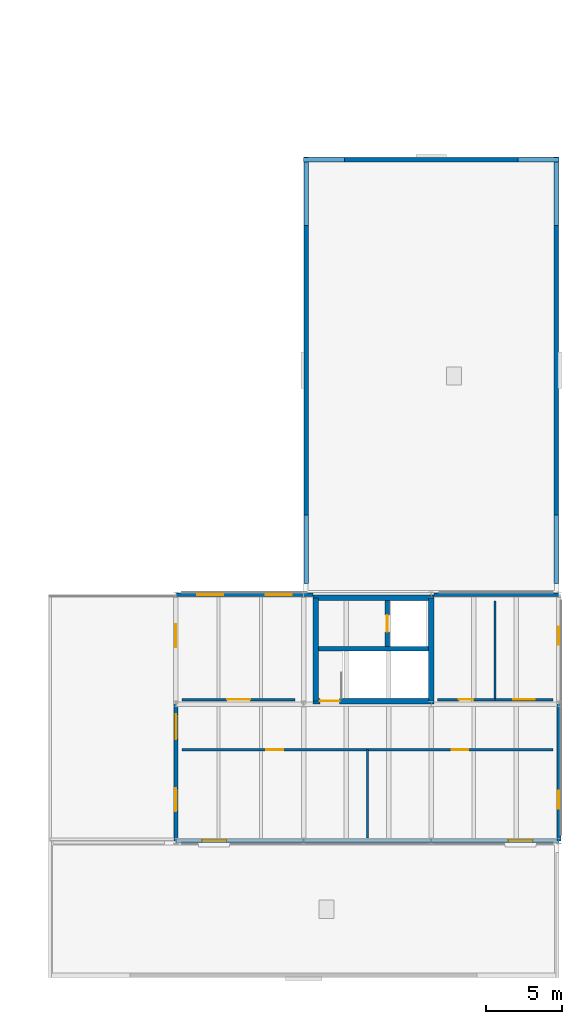
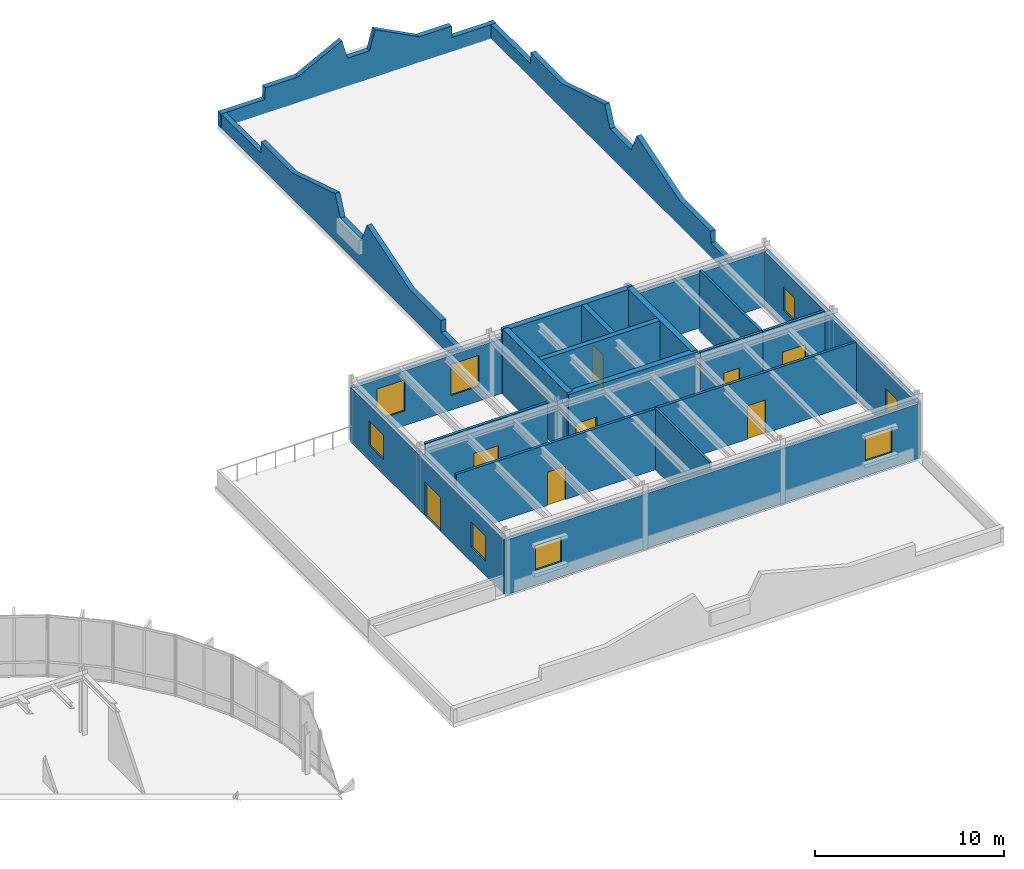
# One storey, part 24 of 31: 21 walls, 8 doors, 8 windows, 16 openings.
"""IFC4 building model written with IfcOpenShell, lengths in metres."""

from ifc_helpers import new_model, si_unit, direction, frame, frame_2d, origin, place, context, subcontext, project, spatial, polyline, rectangle, outline, extrude, material, layer, layer_set, type_object, element, fill, save


model = new_model("IFC4")

# Units and contexts
model_context = context("Model", 3, precision=1e-05, world=origin(), true_north=direction((0.0, 1.0)))
body_context = subcontext(model_context, "Body", "Model", "MODEL_VIEW")
ifc_project = project(units=[si_unit("LENGTHUNIT", "METRE"), si_unit("AREAUNIT", "SQUARE_METRE"), si_unit("VOLUMEUNIT", "CUBIC_METRE"), si_unit("PLANEANGLEUNIT", "RADIAN"), si_unit("MASSUNIT", "GRAM", prefix="KILO")], contexts=[model_context])

# Site, building, storey
site_placement = place(None, origin())
site = spatial("IfcSite", under=ifc_project, at=site_placement, CompositionType="ELEMENT")
building_placement = place(site_placement, origin())
building = spatial("IfcBuilding", under=site, at=building_placement, Name="Montealbar Specialist Clinic", CompositionType="ELEMENT")
storey_placement = place(building_placement, frame((0.0, 0.0, 13.800048828125)))
storey = spatial("IfcBuildingStorey", under=building, at=storey_placement, Name="L03", CompositionType="ELEMENT", Elevation=13.800048828125)

# Wall
ifc_material_1 = material(Name="Concrete C35/45", Category="concrete")
ifc_layer_1 = layer(ifc_material_1, 0.300048828125, Name="Concrete C35/45", Category="concrete")
ifc_layer_set_1 = layer_set([ifc_layer_1], Name="Concrete C35/45")
wall_type_1 = type_object("IfcWallType", Name="WL-CORE-300", PredefinedType="SHEAR", material=ifc_layer_set_1)
wall_1_placement = place(storey_placement, frame((146.175048828125, 48.64990234375, 0.0), z_axis=(0.0, 0.0, 1.0), x_axis=(1.0, 0.0, 0.0)))
element("IfcWall", 1, at=wall_1_placement, inside=storey, type_object=wall_type_1, Name="Core C6 Stairwell Wall L03", PredefinedType="SHEAR", context=body_context, shape_type="SweptSolid", body=[
    extrude(rectangle(XDim=7.25, YDim=0.300048828125, at=frame_2d((3.625, 0.0))), origin(), (0.0, 0.0, 1.0), 4.199951171875),
])

# Wall, opening, door
wall_2_placement = place(storey_placement, frame((150.699951171875, 48.800048828125, 0.0), z_axis=(0.0, 0.0, 1.0), x_axis=(0.0, 1.0, 0.0)))
wall_2 = element("IfcWall", 2, at=wall_2_placement, inside=storey, type_object=wall_type_1, Name="Lift LF-04 Shaft Wall L03 LW", PredefinedType="SHEAR", context=body_context, shape_type="SweptSolid", body=[
    extrude(rectangle(XDim=3.02490234375, YDim=0.300048828125, at=frame_2d((1.512451171875, 0.0))), origin(), (0.0, 0.0, 1.0), 4.199951171875),
])
opening_1_placement = place(wall_2_placement, frame((0.962890625, 0.0, 0.0)))
opening_1 = element("IfcOpeningElement", 3, at=opening_1_placement, cuts=wall_2, Name="Opening LD-11", PredefinedType="OPENING", context=body_context, shape_type="SweptSolid", body=[
    extrude(rectangle(XDim=1.10009765625, YDim=2.14990234375, at=frame_2d((0.550048828125, 1.074951171875))), frame((0.0, 0.159912109375, 0.0), z_axis=(0.0, -1.0, 0.0), x_axis=(1.0, 0.0, 0.0)), (0.0, 0.0, 1.0), 0.320068359375),
])
ifc_material_2 = material(Name="Steel S355", Category="steel")
door_type_1 = type_object("IfcDoorType", Name="DR-LIFT-LD1100", OperationType="DOUBLE_DOOR_SLIDING", PredefinedType="DOOR", material=ifc_material_2)
door_1_placement = place(opening_1_placement, origin())
door_1 = element("IfcDoor", 4, at=door_1_placement, inside=storey, type_object=door_type_1, Name="Lift LF-04 Sliding Landing Door L03", OperationType="DOUBLE_DOOR_SLIDING", OverallHeight=2.14990234375, OverallWidth=1.10009765625, PredefinedType="DOOR", context=body_context, shape_type="SweptSolid", body=[
    extrude(rectangle(XDim=1.10009765625, YDim=2.14990234375, at=frame_2d((0.550048828125, 1.074951171875))), frame((0.0, 0.02490234375, 0.0), z_axis=(0.0, -1.0, 0.0), x_axis=(1.0, 0.0, 0.0)), (0.0, 0.0, 1.0), 0.050048828125),
])
fill(opening_1, door_1)

ifc_layer_2 = layer(ifc_material_1, 0.35009765625, Name="Concrete C35/45", Category="concrete")
ifc_layer_set_2 = layer_set([ifc_layer_2], Name="Concrete C35/45")
wall_type_2 = type_object("IfcWallType", Name="WL-CORE-350", PredefinedType="SHEAR", material=ifc_layer_set_2)
wall_3_placement = place(storey_placement, frame((145.824951171875, 45.199951171875, 0.0), z_axis=(0.0, 0.0, 1.0), x_axis=(1.0, 0.0, 0.0)))
wall_3 = element("IfcWall", 5, at=wall_3_placement, inside=storey, type_object=wall_type_2, Name="Core C6 Shear Wall L03 S", PredefinedType="SHEAR", context=body_context, shape_type="SweptSolid", body=[
    extrude(rectangle(XDim=7.949951171875, YDim=0.35009765625, at=frame_2d((3.97509765625, 0.0))), origin(), (0.0, 0.0, 1.0), 4.199951171875),
])
opening_2_placement = place(wall_3_placement, frame((0.449951171875, 0.0, 0.0)))
opening_2 = element("IfcOpeningElement", 6, at=opening_2_placement, cuts=wall_3, Name="Opening SD-13", PredefinedType="OPENING", context=body_context, shape_type="SweptSolid", body=[
    extrude(rectangle(XDim=1.300048828125, YDim=2.14990234375, at=frame_2d((0.64990234375, 1.074951171875))), frame((0.0, 0.18505859375, 0.0), z_axis=(0.0, -1.0, 0.0), x_axis=(1.0, 0.0, 0.0)), (0.0, 0.0, 1.0), 0.3701171875),
])
door_type_2 = type_object("IfcDoorType", Name="DR-STAIR-W1300", OperationType="NOTDEFINED", PredefinedType="DOOR", material=ifc_material_2)
door_2_placement = place(opening_2_placement, frame((1.300048828125, 0.0, 0.0), z_axis=(0.0, 0.0, 1.0), x_axis=(-1.0, 0.0, 0.0)))
door_2 = element("IfcDoor", 7, at=door_2_placement, inside=storey, type_object=door_type_2, Name="Protected Core C6 Stair Fire Door L03", OperationType="SINGLE_SWING_RIGHT", OverallHeight=2.14990234375, OverallWidth=1.300048828125, PredefinedType="DOOR", context=body_context, shape_type="SweptSolid", body=[
    extrude(rectangle(XDim=1.300048828125, YDim=2.14990234375, at=frame_2d((0.64990234375, 1.074951171875))), frame((0.0, 0.02490234375, 0.0), z_axis=(0.0, -1.0, 0.0), x_axis=(1.0, 0.0, 0.0)), (0.0, 0.0, 1.0), 0.050048828125),
])
fill(opening_2, door_2)

# Walls
wall_4_placement = place(storey_placement, frame((145.824951171875, 52.0, 0.0), z_axis=(0.0, 0.0, 1.0), x_axis=(1.0, 0.0, 0.0)))
element("IfcWall", 8, at=wall_4_placement, inside=storey, type_object=wall_type_2, Name="Core C6 Shear Wall L03 N", PredefinedType="SHEAR", context=body_context, shape_type="SweptSolid", body=[
    extrude(rectangle(XDim=7.949951171875, YDim=0.35009765625, at=frame_2d((3.97509765625, 0.0))), origin(), (0.0, 0.0, 1.0), 4.199951171875),
])
for number, where, z_axis, x_axis, name in (
    (9, (146.0, 45.199951171875, 0.0), (0.0, 0.0, 1.0), (0.0, 1.0, 0.0), "Core C6 Shear Wall L03 W"),
    (10, (153.60009765625, 45.199951171875, 0.0), (0.0, 0.0, 1.0), (0.0, 1.0, 0.0), "Core C6 Shear Wall L03 E"),
):
    element("IfcWall", number, at=place(storey_placement, frame(where, z_axis=z_axis, x_axis=x_axis)), inside=storey, type_object=wall_type_2, Name=name, PredefinedType="SHEAR", context=body_context, shape_type="SweptSolid", body=[
        extrude(rectangle(XDim=6.800048828125, YDim=0.35009765625, at=frame_2d((3.39990234375, 0.0))), origin(), (0.0, 0.0, 1.0), 4.199951171875),
    ])

# Wall, openings, windows
ifc_material_3 = material(Name="Terracotta architectural cladding", Category="masonry")
ifc_layer_3 = layer(ifc_material_3, 0.260009765625, Name="Terracotta architectural cladding", Category="masonry")
ifc_layer_set_3 = layer_set([ifc_layer_3], Name="Terracotta architectural cladding")
wall_type_3 = type_object("IfcWallType", Name="WL-EXT-TERRA-260", PredefinedType="SOLIDWALL", material=ifc_layer_set_3)
wall_5_placement = place(storey_placement, frame((136.800048828125, 52.199951171875, 0.0), z_axis=(0.0, 0.0, 1.0), x_axis=(1.0, 0.0, 0.0)))
wall_5 = element("IfcWall", 11, at=wall_5_placement, inside=storey, type_object=wall_type_3, Name="Exterior Facade Wall EW-L03-060", PredefinedType="SOLIDWALL", context=body_context, shape_type="SweptSolid", body=[
    extrude(rectangle(XDim=9.02490234375, YDim=0.260009765625, at=frame_2d((4.512451171875, 0.0))), origin(), (0.0, 0.0, 1.0), 3.530029296875),
])
opening_3_placement = place(wall_5_placement, frame((1.406005859375, 0.0, 0.949951171875)))
opening_3 = element("IfcOpeningElement", 12, at=opening_3_placement, cuts=wall_5, Name="Opening WN-15", PredefinedType="OPENING", context=body_context, shape_type="SweptSolid", body=[
    extrude(rectangle(XDim=1.699951171875, YDim=2.0, at=frame_2d((0.85009765625, 1.0))), frame((0.0, 0.139892578125, 0.0), z_axis=(0.0, -1.0, 0.0), x_axis=(1.0, 0.0, 0.0)), (0.0, 0.0, 1.0), 0.280029296875),
])
opening_4_placement = place(wall_5_placement, frame((5.9189453125, 0.0, 0.949951171875)))
opening_4 = element("IfcOpeningElement", 13, at=opening_4_placement, cuts=wall_5, Name="Opening WN-15", PredefinedType="OPENING", context=body_context, shape_type="SweptSolid", body=[
    extrude(rectangle(XDim=1.699951171875, YDim=2.0, at=frame_2d((0.85009765625, 1.0))), frame((0.0, 0.139892578125, 0.0), z_axis=(0.0, -1.0, 0.0), x_axis=(1.0, 0.0, 0.0)), (0.0, 0.0, 1.0), 0.280029296875),
])
ifc_material_4 = material(Name="Low-E double glazing", Category="glass")
window_type_1 = type_object("IfcWindowType", Name="WIN-WN-15", PartitioningType="SINGLE_PANEL", PredefinedType="WINDOW", material=ifc_material_4)
window_1_placement = place(opening_3_placement, origin())
window_1 = element("IfcWindow", 14, at=window_1_placement, inside=storey, type_object=window_type_1, Name="Clinical Facade Window WN-15 L03-0224", OverallHeight=2.0, OverallWidth=1.699951171875, PartitioningType="SINGLE_PANEL", PredefinedType="WINDOW", context=body_context, shape_type="SweptSolid", body=[
    extrude(rectangle(XDim=1.699951171875, YDim=2.0, at=frame_2d((0.85009765625, 1.0))), frame((0.0, 0.030029296875, 0.0), z_axis=(0.0, -1.0, 0.0), x_axis=(1.0, 0.0, 0.0)), (0.0, 0.0, 1.0), 0.06005859375),
])
fill(opening_3, window_1)
window_2_placement = place(opening_4_placement, origin())
window_2 = element("IfcWindow", 15, at=window_2_placement, inside=storey, type_object=window_type_1, Name="Clinical Facade Window WN-15 L03-0225", OverallHeight=2.0, OverallWidth=1.699951171875, PartitioningType="SINGLE_PANEL", PredefinedType="WINDOW", context=body_context, shape_type="SweptSolid", body=[
    extrude(rectangle(XDim=1.699951171875, YDim=2.0, at=frame_2d((0.85009765625, 1.0))), frame((0.0, 0.030029296875, 0.0), z_axis=(0.0, -1.0, 0.0), x_axis=(1.0, 0.0, 0.0)), (0.0, 0.0, 1.0), 0.06005859375),
])
fill(opening_4, window_2)

# Wall
wall_6_placement = place(storey_placement, frame((153.77490234375, 52.199951171875, 0.0), z_axis=(0.0, 0.0, 1.0), x_axis=(1.0, 0.0, 0.0)))
element("IfcWall", 16, at=wall_6_placement, inside=storey, type_object=wall_type_3, Name="Exterior Facade Wall EW-L03-061", PredefinedType="SOLIDWALL", context=body_context, shape_type="SweptSolid", body=[
    extrude(rectangle(XDim=8.22509765625, YDim=0.260009765625, at=frame_2d((4.112548828125, 0.0))), origin(), (0.0, 0.0, 1.0), 3.530029296875),
])

# Wall, openings, windows
wall_7_placement = place(storey_placement, frame((162.0, 52.199951171875, 0.0), z_axis=(0.0, 0.0, 1.0), x_axis=(0.0, -1.0, 0.0)))
wall_7 = element("IfcWall", 17, at=wall_7_placement, inside=storey, type_object=wall_type_3, Name="Exterior Facade Wall EW-L03-062", PredefinedType="SOLIDWALL", context=body_context, shape_type="SweptSolid", body=[
    extrude(rectangle(XDim=16.199951171875, YDim=0.260009765625, at=frame_2d((8.10009765625, 0.0))), origin(), (0.0, 0.0, 1.0), 3.530029296875),
])
opening_5_placement = place(wall_7_placement, frame((2.10009765625, 0.0, 0.949951171875)))
opening_5 = element("IfcOpeningElement", 18, at=opening_5_placement, cuts=wall_7, Name="Opening WN-01", PredefinedType="OPENING", context=body_context, shape_type="SweptSolid", body=[
    extrude(rectangle(XDim=1.199951171875, YDim=1.5, at=frame_2d((0.60009765625, 0.75))), frame((0.0, 0.139892578125, 0.0), z_axis=(0.0, -1.0, 0.0), x_axis=(1.0, 0.0, 0.0)), (0.0, 0.0, 1.0), 0.280029296875),
])
opening_6_placement = place(wall_7_placement, frame((12.89990234375, 0.0, 0.949951171875)))
opening_6 = element("IfcOpeningElement", 19, at=opening_6_placement, cuts=wall_7, Name="Opening WN-01", PredefinedType="OPENING", context=body_context, shape_type="SweptSolid", body=[
    extrude(rectangle(XDim=1.199951171875, YDim=1.5, at=frame_2d((0.60009765625, 0.75))), frame((0.0, 0.139892578125, 0.0), z_axis=(0.0, -1.0, 0.0), x_axis=(1.0, 0.0, 0.0)), (0.0, 0.0, 1.0), 0.280029296875),
])
window_type_2 = type_object("IfcWindowType", Name="WIN-WN-01", PartitioningType="SINGLE_PANEL", PredefinedType="WINDOW", material=ifc_material_4)
window_3_placement = place(opening_5_placement, origin())
window_3 = element("IfcWindow", 20, at=window_3_placement, inside=storey, type_object=window_type_2, Name="Clinical Facade Window WN-01 L03-0226", OverallHeight=1.5, OverallWidth=1.199951171875, PartitioningType="SINGLE_PANEL", PredefinedType="WINDOW", context=body_context, shape_type="SweptSolid", body=[
    extrude(rectangle(XDim=1.199951171875, YDim=1.5, at=frame_2d((0.60009765625, 0.75))), frame((0.0, 0.030029296875, 0.0), z_axis=(0.0, -1.0, 0.0), x_axis=(1.0, 0.0, 0.0)), (0.0, 0.0, 1.0), 0.06005859375),
])
fill(opening_5, window_3)
window_4_placement = place(opening_6_placement, origin())
window_4 = element("IfcWindow", 21, at=window_4_placement, inside=storey, type_object=window_type_2, Name="Clinical Facade Window WN-01 L03-0227", OverallHeight=1.5, OverallWidth=1.199951171875, PartitioningType="SINGLE_PANEL", PredefinedType="WINDOW", context=body_context, shape_type="SweptSolid", body=[
    extrude(rectangle(XDim=1.199951171875, YDim=1.5, at=frame_2d((0.60009765625, 0.75))), frame((0.0, 0.030029296875, 0.0), z_axis=(0.0, -1.0, 0.0), x_axis=(1.0, 0.0, 0.0)), (0.0, 0.0, 1.0), 0.06005859375),
])
fill(opening_6, window_4)

wall_8_placement = place(storey_placement, frame((162.0, 36.0, 0.0), z_axis=(0.0, 0.0, 1.0), x_axis=(-1.0, 0.0, 0.0)))
wall_8 = element("IfcWall", 22, at=wall_8_placement, inside=storey, type_object=wall_type_3, Name="Exterior Facade Wall EW-L03-063", PredefinedType="SOLIDWALL", context=body_context, shape_type="SweptSolid", body=[
    extrude(rectangle(XDim=25.199951171875, YDim=0.260009765625, at=frame_2d((12.60009765625, 0.0))), origin(), (0.0, 0.0, 1.0), 3.530029296875),
])
opening_7_placement = place(wall_8_placement, frame((1.719970703125, 0.0, 0.965087890625)))
opening_7 = element("IfcOpeningElement", 23, at=opening_7_placement, cuts=wall_8, Name="Opening WN-19", PredefinedType="OPENING", context=body_context, shape_type="SweptSolid", body=[
    extrude(rectangle(XDim=1.60009765625, YDim=1.60009765625, at=frame_2d((0.800048828125, 0.800048828125))), frame((0.0, 0.139892578125, 0.0), z_axis=(0.0, -1.0, 0.0), x_axis=(1.0, 0.0, 0.0)), (0.0, 0.0, 1.0), 0.280029296875),
])
opening_8_placement = place(wall_8_placement, frame((21.8798828125, 0.0, 0.965087890625)))
opening_8 = element("IfcOpeningElement", 24, at=opening_8_placement, cuts=wall_8, Name="Opening WN-19", PredefinedType="OPENING", context=body_context, shape_type="SweptSolid", body=[
    extrude(rectangle(XDim=1.60009765625, YDim=1.60009765625, at=frame_2d((0.800048828125, 0.800048828125))), frame((0.0, 0.139892578125, 0.0), z_axis=(0.0, -1.0, 0.0), x_axis=(1.0, 0.0, 0.0)), (0.0, 0.0, 1.0), 0.280029296875),
])
window_type_3 = type_object("IfcWindowType", Name="WIN-WN-19", PartitioningType="SINGLE_PANEL", PredefinedType="WINDOW", material=ifc_material_4)
window_5_placement = place(opening_7_placement, origin())
window_5 = element("IfcWindow", 25, at=window_5_placement, inside=storey, type_object=window_type_3, Name="Clinical Facade Postmodern Oculus Window WN-19 L03-0228", OverallHeight=1.60009765625, OverallWidth=1.60009765625, PartitioningType="SINGLE_PANEL", PredefinedType="WINDOW", context=body_context, shape_type="SweptSolid", body=[
    extrude(rectangle(XDim=1.60009765625, YDim=1.60009765625, at=frame_2d((0.800048828125, 0.800048828125))), frame((0.0, 0.030029296875, 0.0), z_axis=(0.0, -1.0, 0.0), x_axis=(1.0, 0.0, 0.0)), (0.0, 0.0, 1.0), 0.06005859375),
])
fill(opening_7, window_5)
window_6_placement = place(opening_8_placement, origin())
window_6 = element("IfcWindow", 26, at=window_6_placement, inside=storey, type_object=window_type_3, Name="Clinical Facade Postmodern Oculus Window WN-19 L03-0229", OverallHeight=1.60009765625, OverallWidth=1.60009765625, PartitioningType="SINGLE_PANEL", PredefinedType="WINDOW", context=body_context, shape_type="SweptSolid", body=[
    extrude(rectangle(XDim=1.60009765625, YDim=1.60009765625, at=frame_2d((0.800048828125, 0.800048828125))), frame((0.0, 0.030029296875, 0.0), z_axis=(0.0, -1.0, 0.0), x_axis=(1.0, 0.0, 0.0)), (0.0, 0.0, 1.0), 0.06005859375),
])
fill(opening_8, window_6)

# Wall, openings, door, windows
wall_9_placement = place(storey_placement, frame((136.800048828125, 36.0, 0.0), z_axis=(0.0, 0.0, 1.0), x_axis=(0.0, 1.0, 0.0)))
wall_9 = element("IfcWall", 27, at=wall_9_placement, inside=storey, type_object=wall_type_3, Name="Exterior Facade Wall EW-L03-064", PredefinedType="SOLIDWALL", context=body_context, shape_type="SweptSolid", body=[
    extrude(rectangle(XDim=16.199951171875, YDim=0.260009765625, at=frame_2d((8.10009765625, 0.0))), origin(), (0.0, 0.0, 1.0), 3.530029296875),
])
opening_9_placement = place(wall_9_placement, frame((6.675048828125, 0.0, 0.0)))
opening_9 = element("IfcOpeningElement", 28, at=opening_9_placement, cuts=wall_9, Name="Opening TD-16", PredefinedType="OPENING", context=body_context, shape_type="SweptSolid", body=[
    extrude(rectangle(XDim=1.64990234375, YDim=2.199951171875, at=frame_2d((0.824951171875, 1.10009765625))), frame((0.0, 0.139892578125, 0.0), z_axis=(0.0, -1.0, 0.0), x_axis=(1.0, 0.0, 0.0)), (0.0, 0.0, 1.0), 0.280029296875),
])
opening_10_placement = place(wall_9_placement, frame((1.949951171875, 0.0, 0.949951171875)))
opening_10 = element("IfcOpeningElement", 29, at=opening_10_placement, cuts=wall_9, Name="Opening WN-03", PredefinedType="OPENING", context=body_context, shape_type="SweptSolid", body=[
    extrude(rectangle(XDim=1.5, YDim=1.60009765625, at=frame_2d((0.75, 0.800048828125))), frame((0.0, 0.139892578125, 0.0), z_axis=(0.0, -1.0, 0.0), x_axis=(1.0, 0.0, 0.0)), (0.0, 0.0, 1.0), 0.280029296875),
])
opening_11_placement = place(wall_9_placement, frame((12.75, 0.0, 0.949951171875)))
opening_11 = element("IfcOpeningElement", 30, at=opening_11_placement, cuts=wall_9, Name="Opening WN-03", PredefinedType="OPENING", context=body_context, shape_type="SweptSolid", body=[
    extrude(rectangle(XDim=1.5, YDim=1.60009765625, at=frame_2d((0.75, 0.800048828125))), frame((0.0, 0.139892578125, 0.0), z_axis=(0.0, -1.0, 0.0), x_axis=(1.0, 0.0, 0.0)), (0.0, 0.0, 1.0), 0.280029296875),
])
ifc_material_5 = material(Name="Powder-coated aluminium", Category="aluminium")
door_type_3 = type_object("IfcDoorType", Name="DR-TERR-W1650", OperationType="DOUBLE_DOOR_SINGLE_SWING", PredefinedType="DOOR", material=ifc_material_5)
door_3_placement = place(opening_9_placement, origin())
door_3 = element("IfcDoor", 31, at=door_3_placement, inside=storey, type_object=door_type_3, Name="Rehabilitation Setback Terrace Door L03", OperationType="DOUBLE_DOOR_SINGLE_SWING", OverallHeight=2.199951171875, OverallWidth=1.64990234375, PredefinedType="DOOR", context=body_context, shape_type="SweptSolid", body=[
    extrude(rectangle(XDim=1.64990234375, YDim=2.199951171875, at=frame_2d((0.824951171875, 1.10009765625))), frame((0.0, 0.02490234375, 0.0), z_axis=(0.0, -1.0, 0.0), x_axis=(1.0, 0.0, 0.0)), (0.0, 0.0, 1.0), 0.050048828125),
])
fill(opening_9, door_3)
window_type_4 = type_object("IfcWindowType", Name="WIN-WN-03", PartitioningType="SINGLE_PANEL", PredefinedType="WINDOW", material=ifc_material_4)
window_7_placement = place(opening_10_placement, origin())
window_7 = element("IfcWindow", 32, at=window_7_placement, inside=storey, type_object=window_type_4, Name="Clinical Facade Window WN-03 L03-0230", OverallHeight=1.60009765625, OverallWidth=1.5, PartitioningType="SINGLE_PANEL", PredefinedType="WINDOW", context=body_context, shape_type="SweptSolid", body=[
    extrude(rectangle(XDim=1.5, YDim=1.60009765625, at=frame_2d((0.75, 0.800048828125))), frame((0.0, 0.030029296875, 0.0), z_axis=(0.0, -1.0, 0.0), x_axis=(1.0, 0.0, 0.0)), (0.0, 0.0, 1.0), 0.06005859375),
])
fill(opening_10, window_7)
window_8_placement = place(opening_11_placement, origin())
window_8 = element("IfcWindow", 33, at=window_8_placement, inside=storey, type_object=window_type_4, Name="Clinical Facade Window WN-03 L03-0231", OverallHeight=1.60009765625, OverallWidth=1.5, PartitioningType="SINGLE_PANEL", PredefinedType="WINDOW", context=body_context, shape_type="SweptSolid", body=[
    extrude(rectangle(XDim=1.5, YDim=1.60009765625, at=frame_2d((0.75, 0.800048828125))), frame((0.0, 0.030029296875, 0.0), z_axis=(0.0, -1.0, 0.0), x_axis=(1.0, 0.0, 0.0)), (0.0, 0.0, 1.0), 0.06005859375),
])
fill(opening_11, window_8)

# Walls
ifc_material_6 = material(Name="Gypsum acoustic partition", Category="gypsum")
ifc_layer_4 = layer(ifc_material_6, 0.139892578125, Name="Gypsum acoustic partition", Category="gypsum")
ifc_layer_set_4 = layer_set([ifc_layer_4], Name="Gypsum acoustic partition")
wall_type_4 = type_object("IfcWallType", Name="WL-PART-ACOUSTIC-140", PredefinedType="PARTITIONING", material=ifc_layer_set_4)
wall_10_placement = place(storey_placement, frame((157.800048828125, 45.300048828125, 0.0), z_axis=(0.0, 0.0, 1.0), x_axis=(0.0, 1.0, 0.0)))
element("IfcWall", 34, at=wall_10_placement, inside=storey, type_object=wall_type_4, Name="Clinical Partition PART-L03-0187", PredefinedType="PARTITIONING", context=body_context, shape_type="SweptSolid", body=[
    extrude(rectangle(XDim=6.5, YDim=0.139892578125, at=frame_2d((3.25, 0.0))), origin(), (0.0, 0.0, 1.0), 3.93994140625),
])
wall_11_placement = place(storey_placement, frame((149.39990234375, 36.199951171875, 0.0), z_axis=(0.0, 0.0, 1.0), x_axis=(0.0, 1.0, 0.0)))
element("IfcWall", 35, at=wall_11_placement, inside=storey, type_object=wall_type_4, Name="Clinical Partition PART-L03-0190", PredefinedType="PARTITIONING", context=body_context, shape_type="SweptSolid", body=[
    extrude(rectangle(XDim=5.800048828125, YDim=0.139892578125, at=frame_2d((2.89990234375, 0.0))), origin(), (0.0, 0.0, 1.0), 3.93994140625),
])

# Wall, opening, door
ifc_layer_5 = layer(ifc_material_6, 0.159912109375, Name="Gypsum acoustic partition", Category="gypsum")
ifc_layer_set_5 = layer_set([ifc_layer_5], Name="Gypsum acoustic partition")
wall_type_5 = type_object("IfcWallType", Name="WL-PART-CLINIC-160", PredefinedType="PARTITIONING", material=ifc_layer_set_5)
wall_12_placement = place(storey_placement, frame((137.199951171875, 45.300048828125, 0.0), z_axis=(0.0, 0.0, 1.0), x_axis=(1.0, 0.0, 0.0)))
wall_12 = element("IfcWall", 36, at=wall_12_placement, inside=storey, type_object=wall_type_5, Name="Clinical Partition PART-L03-0185", PredefinedType="PARTITIONING", context=body_context, shape_type="SweptSolid", body=[
    extrude(rectangle(XDim=7.449951171875, YDim=0.159912109375, at=frame_2d((3.72509765625, 0.0))), origin(), (0.0, 0.0, 1.0), 3.93994140625),
])
opening_12_placement = place(wall_12_placement, frame((2.97509765625, 0.0, 0.0)))
opening_12 = element("IfcOpeningElement", 37, at=opening_12_placement, cuts=wall_12, Name="Opening ID-150", PredefinedType="OPENING", context=body_context, shape_type="SweptSolid", body=[
    extrude(rectangle(XDim=1.5, YDim=2.25, at=frame_2d((0.75, 1.125))), frame((0.0, 0.08984375, 0.0), z_axis=(0.0, -1.0, 0.0), x_axis=(1.0, 0.0, 0.0)), (0.0, 0.0, 1.0), 0.179931640625),
])
ifc_material_7 = material(Name="Acoustic timber leaf", Category="wood")
door_type_4 = type_object("IfcDoorType", Name="DR-OR-W1500", OperationType="SLIDING_TO_LEFT", PredefinedType="DOOR", material=ifc_material_7)
door_4_placement = place(opening_12_placement, frame((1.5, 0.0, 0.0), z_axis=(0.0, 0.0, 1.0), x_axis=(-1.0, 0.0, 0.0)))
door_4 = element("IfcDoor", 38, at=door_4_placement, inside=storey, type_object=door_type_4, Name="Clinical Room Door IDR-L03-0119", OperationType="SLIDING_TO_LEFT", OverallHeight=2.25, OverallWidth=1.5, PredefinedType="DOOR", context=body_context, shape_type="SweptSolid", body=[
    extrude(rectangle(XDim=1.5, YDim=2.25, at=frame_2d((0.75, 1.125))), frame((0.0, 0.02490234375, 0.0), z_axis=(0.0, -1.0, 0.0), x_axis=(1.0, 0.0, 0.0)), (0.0, 0.0, 1.0), 0.050048828125),
])
fill(opening_12, door_4)

wall_13_placement = place(storey_placement, frame((154.0, 45.300048828125, 0.0), z_axis=(0.0, 0.0, 1.0), x_axis=(1.0, 0.0, 0.0)))
wall_13 = element("IfcWall", 39, at=wall_13_placement, inside=storey, type_object=wall_type_5, Name="Clinical Partition PART-L03-0186", PredefinedType="PARTITIONING", context=body_context, shape_type="SweptSolid", body=[
    extrude(rectangle(XDim=3.800048828125, YDim=0.159912109375, at=frame_2d((1.89990234375, 0.0))), origin(), (0.0, 0.0, 1.0), 3.93994140625),
])
opening_13_placement = place(wall_13_placement, frame((1.425048828125, 0.0, 0.0)))
opening_13 = element("IfcOpeningElement", 40, at=opening_13_placement, cuts=wall_13, Name="Opening ID-095", PredefinedType="OPENING", context=body_context, shape_type="SweptSolid", body=[
    extrude(rectangle(XDim=0.949951171875, YDim=2.10009765625, at=frame_2d((0.47509765625, 1.050048828125))), frame((0.0, 0.08984375, 0.0), z_axis=(0.0, -1.0, 0.0), x_axis=(1.0, 0.0, 0.0)), (0.0, 0.0, 1.0), 0.179931640625),
])
door_type_5 = type_object("IfcDoorType", Name="DR-WC-W0950", OperationType="NOTDEFINED", PredefinedType="DOOR", material=ifc_material_7)
door_5_placement = place(opening_13_placement, frame((0.949951171875, 0.0, 0.0), z_axis=(0.0, 0.0, 1.0), x_axis=(-1.0, 0.0, 0.0)))
door_5 = element("IfcDoor", 41, at=door_5_placement, inside=storey, type_object=door_type_5, Name="Clinical Room Door IDR-L03-0120", OperationType="SINGLE_SWING_RIGHT", OverallHeight=2.10009765625, OverallWidth=0.949951171875, PredefinedType="DOOR", context=body_context, shape_type="SweptSolid", body=[
    extrude(rectangle(XDim=0.949951171875, YDim=2.10009765625, at=frame_2d((0.47509765625, 1.050048828125))), frame((0.0, 0.02490234375, 0.0), z_axis=(0.0, -1.0, 0.0), x_axis=(1.0, 0.0, 0.0)), (0.0, 0.0, 1.0), 0.050048828125),
])
fill(opening_13, door_5)

wall_14_placement = place(storey_placement, frame((157.800048828125, 45.300048828125, 0.0), z_axis=(0.0, 0.0, 1.0), x_axis=(1.0, 0.0, 0.0)))
wall_14 = element("IfcWall", 42, at=wall_14_placement, inside=storey, type_object=wall_type_5, Name="Clinical Partition PART-L03-0188", PredefinedType="PARTITIONING", context=body_context, shape_type="SweptSolid", body=[
    extrude(rectangle(XDim=3.800048828125, YDim=0.159912109375, at=frame_2d((1.89990234375, 0.0))), origin(), (0.0, 0.0, 1.0), 3.93994140625),
])
opening_14_placement = place(wall_14_placement, frame((1.199951171875, 0.0, 0.0)))
opening_14 = element("IfcOpeningElement", 43, at=opening_14_placement, cuts=wall_14, Name="Opening ID-140", PredefinedType="OPENING", context=body_context, shape_type="SweptSolid", body=[
    extrude(rectangle(XDim=1.39990234375, YDim=2.199951171875, at=frame_2d((0.699951171875, 1.10009765625))), frame((0.0, 0.08984375, 0.0), z_axis=(0.0, -1.0, 0.0), x_axis=(1.0, 0.0, 0.0)), (0.0, 0.0, 1.0), 0.179931640625),
])
door_type_6 = type_object("IfcDoorType", Name="DR-BED-W1400", OperationType="NOTDEFINED", PredefinedType="DOOR", material=ifc_material_7)
door_6_placement = place(opening_14_placement, frame((1.39990234375, 0.0, 0.0), z_axis=(0.0, 0.0, 1.0), x_axis=(-1.0, 0.0, 0.0)))
door_6 = element("IfcDoor", 44, at=door_6_placement, inside=storey, type_object=door_type_6, Name="Clinical Room Door IDR-L03-0121", OperationType="SINGLE_SWING_LEFT", OverallHeight=2.199951171875, OverallWidth=1.39990234375, PredefinedType="DOOR", context=body_context, shape_type="SweptSolid", body=[
    extrude(rectangle(XDim=1.39990234375, YDim=2.199951171875, at=frame_2d((0.699951171875, 1.10009765625))), frame((0.0, 0.02490234375, 0.0), z_axis=(0.0, -1.0, 0.0), x_axis=(1.0, 0.0, 0.0)), (0.0, 0.0, 1.0), 0.050048828125),
])
fill(opening_14, door_6)

wall_15_placement = place(storey_placement, frame((137.199951171875, 42.0, 0.0), z_axis=(0.0, 0.0, 1.0), x_axis=(1.0, 0.0, 0.0)))
wall_15 = element("IfcWall", 45, at=wall_15_placement, inside=storey, type_object=wall_type_5, Name="Clinical Partition PART-L03-0189", PredefinedType="PARTITIONING", context=body_context, shape_type="SweptSolid", body=[
    extrude(rectangle(XDim=12.199951171875, YDim=0.159912109375, at=frame_2d((6.10009765625, 0.0))), origin(), (0.0, 0.0, 1.0), 3.93994140625),
])
opening_15_placement = place(wall_15_placement, frame((5.550048828125, 0.0, 0.0)))
opening_15 = element("IfcOpeningElement", 46, at=opening_15_placement, cuts=wall_15, Name="Opening ID-110", PredefinedType="OPENING", context=body_context, shape_type="SweptSolid", body=[
    extrude(rectangle(XDim=1.10009765625, YDim=2.14990234375, at=frame_2d((0.550048828125, 1.074951171875))), frame((0.0, 0.08984375, 0.0), z_axis=(0.0, -1.0, 0.0), x_axis=(1.0, 0.0, 0.0)), (0.0, 0.0, 1.0), 0.179931640625),
])
door_type_7 = type_object("IfcDoorType", Name="DR-CLIN-W1100", OperationType="NOTDEFINED", PredefinedType="DOOR", material=ifc_material_7)
door_7_placement = place(opening_15_placement, origin())
door_7 = element("IfcDoor", 47, at=door_7_placement, inside=storey, type_object=door_type_7, Name="Clinical Room Door IDR-L03-0122", OperationType="SINGLE_SWING_RIGHT", OverallHeight=2.14990234375, OverallWidth=1.10009765625, PredefinedType="DOOR", context=body_context, shape_type="SweptSolid", body=[
    extrude(rectangle(XDim=1.10009765625, YDim=2.14990234375, at=frame_2d((0.550048828125, 1.074951171875))), frame((0.0, 0.02490234375, 0.0), z_axis=(0.0, -1.0, 0.0), x_axis=(1.0, 0.0, 0.0)), (0.0, 0.0, 1.0), 0.050048828125),
])
fill(opening_15, door_7)

wall_16_placement = place(storey_placement, frame((149.39990234375, 42.0, 0.0), z_axis=(0.0, 0.0, 1.0), x_axis=(1.0, 0.0, 0.0)))
wall_16 = element("IfcWall", 48, at=wall_16_placement, inside=storey, type_object=wall_type_5, Name="Clinical Partition PART-L03-0191", PredefinedType="PARTITIONING", context=body_context, shape_type="SweptSolid", body=[
    extrude(rectangle(XDim=12.2001953125, YDim=0.159912109375, at=frame_2d((6.10009765625, 0.0))), origin(), (0.0, 0.0, 1.0), 3.93994140625),
])
opening_16_placement = place(wall_16_placement, frame((5.550048828125, 0.0, 0.0)))
opening_16 = element("IfcOpeningElement", 49, at=opening_16_placement, cuts=wall_16, Name="Opening ID-110", PredefinedType="OPENING", context=body_context, shape_type="SweptSolid", body=[
    extrude(rectangle(XDim=1.10009765625, YDim=2.14990234375, at=frame_2d((0.550048828125, 1.074951171875))), frame((0.0, 0.08984375, 0.0), z_axis=(0.0, -1.0, 0.0), x_axis=(1.0, 0.0, 0.0)), (0.0, 0.0, 1.0), 0.179931640625),
])
door_8_placement = place(opening_16_placement, origin())
door_8 = element("IfcDoor", 50, at=door_8_placement, inside=storey, type_object=door_type_7, Name="Clinical Room Door IDR-L03-0123", OperationType="SINGLE_SWING_LEFT", OverallHeight=2.14990234375, OverallWidth=1.10009765625, PredefinedType="DOOR", context=body_context, shape_type="SweptSolid", body=[
    extrude(rectangle(XDim=1.10009765625, YDim=2.14990234375, at=frame_2d((0.550048828125, 1.074951171875))), frame((0.0, 0.02490234375, 0.0), z_axis=(0.0, -1.0, 0.0), x_axis=(1.0, 0.0, 0.0)), (0.0, 0.0, 1.0), 0.050048828125),
])
fill(opening_16, door_8)

# Walls
ifc_layer_6 = layer(ifc_material_3, 0.300048828125, Name="Terracotta architectural cladding", Category="masonry")
ifc_layer_set_6 = layer_set([ifc_layer_6], Name="Terracotta architectural cladding")
wall_type_6 = type_object("IfcWallType", Name="WL-PEDIMENT-300", PredefinedType="PARAPET", material=ifc_layer_set_6)
for number, where, z_axis, x_axis, name in (
    (51, (161.830078125, 81.0, 0.0), (0.0, 0.0, 1.0), (0.0, -1.0, 0.0), "Postmodern Broken-Pediment Gable Parapet L03-09"),
    (52, (145.3701171875, 52.949951171875, 0.0), (0.0, 0.0, 1.0), (0.0, 1.0, 0.0), "Postmodern Broken-Pediment Gable Parapet L03-10"),
):
    element("IfcWall", number, at=place(storey_placement, frame(where, z_axis=z_axis, x_axis=x_axis)), inside=storey, type_object=wall_type_6, Name=name, PredefinedType="PARAPET", context=body_context, shape_type="SweptSolid", body=[
        extrude(outline(polyline([(0.0, 0.0), (28.050048828125, 0.0), (28.050048828125, 0.89990234375), (23.56201171875, 0.89990234375), (23.5419921875, 1.64990234375), (20.196044921875, 1.64990234375), (15.7080078125, 3.050048828125), (15.14697265625, 1.800048828125), (12.903076171875, 1.800048828125), (12.342041015625, 3.050048828125), (7.85400390625, 1.64990234375), (4.508056640625, 1.64990234375), (4.488037109375, 0.89990234375), (0.0, 0.89990234375), (0.0, 0.0)])), frame((0.0, 0.14990234375, 0.0), z_axis=(0.0, -1.0, 0.0), x_axis=(1.0, 0.0, 0.0)), (0.0, 0.0, 1.0), 0.300048828125),
    ])
wall_17_placement = place(storey_placement, frame((145.199951171875, 80.830078125, 0.0), z_axis=(0.0, 0.0, 1.0), x_axis=(1.0, 0.0, 0.0)))
element("IfcWall", 53, at=wall_17_placement, inside=storey, type_object=wall_type_6, Name="Postmodern Broken-Pediment Gable Parapet L03-11", PredefinedType="PARAPET", context=body_context, shape_type="SweptSolid", body=[
    extrude(outline(polyline([(0.0, 0.0), (16.800048828125, 0.0), (16.800048828125, 0.89990234375), (14.112060546875, 0.89990234375), (14.092041015625, 1.64990234375), (12.095947265625, 1.64990234375), (9.407958984375, 3.050048828125), (9.072021484375, 1.800048828125), (7.72802734375, 1.800048828125), (7.39208984375, 3.050048828125), (4.7041015625, 1.64990234375), (2.7080078125, 1.64990234375), (2.68798828125, 0.89990234375), (0.0, 0.89990234375), (0.0, 0.0)])), frame((0.0, 0.14990234375, 0.0), z_axis=(0.0, -1.0, 0.0), x_axis=(1.0, 0.0, 0.0)), (0.0, 0.0, 1.0), 0.300048828125),
])

save(model, "model.ifc")
